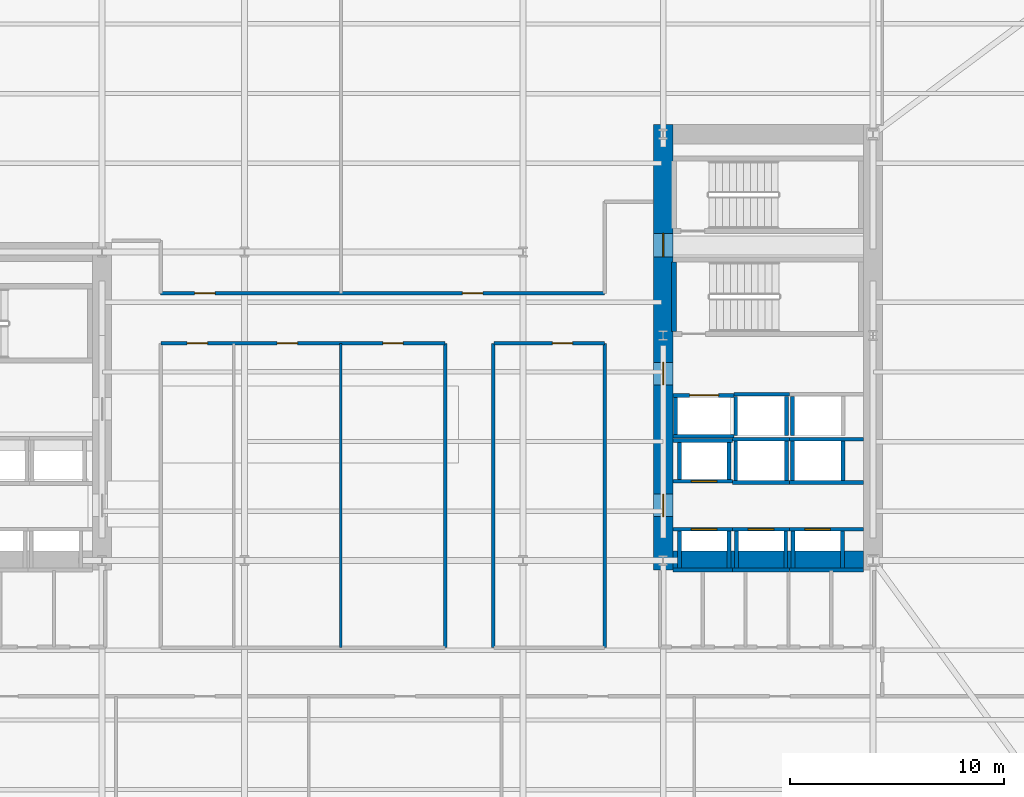
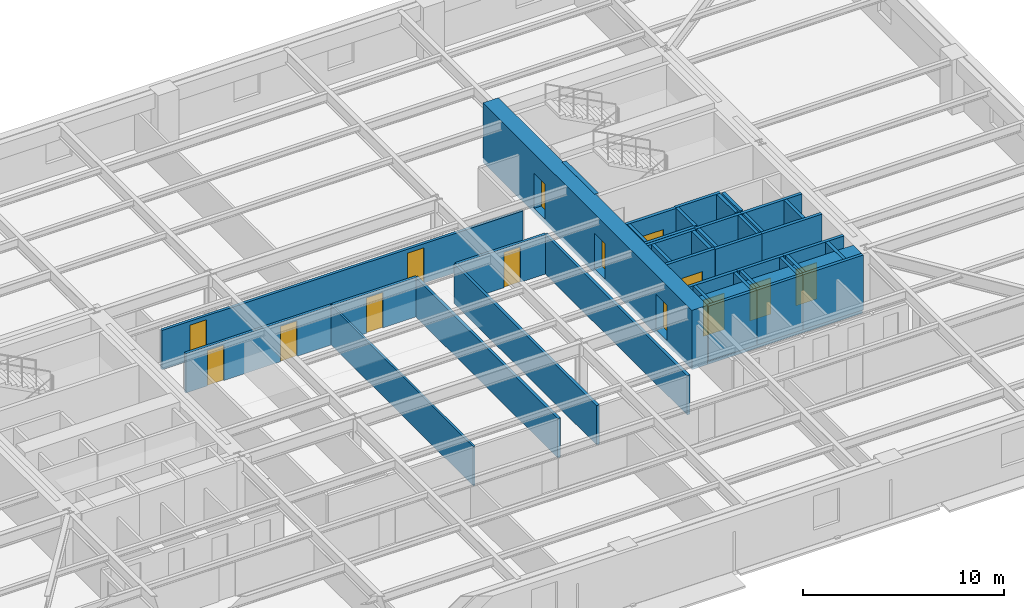
# One storey, part 6 of 14: 41 walls, 14 doors, 14 openings.
"""IFC4 building model written with IfcOpenShell, lengths in metres."""

from ifc_helpers import new_model, si_unit, direction, frame, frame_2d, origin, place, context, subcontext, project, spatial, rectangle, extrude, material, layer, layer_set, type_object, element, fill, save


model = new_model("IFC4")

# Units and contexts
model_context = context("Model", 3, precision=1e-05, world=origin(), true_north=direction((0.0, 1.0)))
body_context = subcontext(model_context, "Body", "Model", "MODEL_VIEW")
ifc_project = project(units=[si_unit("LENGTHUNIT", "METRE"), si_unit("AREAUNIT", "SQUARE_METRE"), si_unit("VOLUMEUNIT", "CUBIC_METRE"), si_unit("PLANEANGLEUNIT", "RADIAN"), si_unit("MASSUNIT", "GRAM", prefix="KILO")], contexts=[model_context])

# Site, building, storey
site_placement = place(None, origin())
site = spatial("IfcSite", under=ifc_project, at=site_placement, CompositionType="ELEMENT")
building_placement = place(site_placement, origin())
building = spatial("IfcBuilding", under=site, at=building_placement, Name="Kolvaren Arena Tower", CompositionType="ELEMENT")
storey_placement = place(building_placement, frame((0.0, 0.0, 90.75)))
storey = spatial("IfcBuildingStorey", under=building, at=storey_placement, Name="L20", CompositionType="ELEMENT", Elevation=90.75)

# Wall, openings, doors
ifc_material_1 = material(Name="Gypsum board acoustic assembly", Category="gypsum")
ifc_layer_1 = layer(ifc_material_1, 0.159912109375)
ifc_layer_set_1 = layer_set([ifc_layer_1], Name="Gypsum board acoustic assembly")
wall_type_1 = type_object("IfcWallType", Name="CORR-160", PredefinedType="PARTITIONING", material=ifc_layer_set_1)
wall_1_placement = place(storey_placement, frame((27.080078125, 31.919921875, 0.0), z_axis=(0.0, 0.0, 1.0), x_axis=(1.0, 0.0, 0.0)))
wall_1 = element("IfcWall", 1, at=wall_1_placement, inside=storey, type_object=wall_type_1, Name="Interior Partition Wall (L20)", PredefinedType="PARTITIONING", context=body_context, shape_type="SweptSolid", body=[
    extrude(rectangle(XDim=20.739990234375, YDim=0.159912109375, at=frame_2d((10.3701171875, 0.0))), origin(), (0.0, 0.0, 1.0), 2.389892578125),
])
opening_1_placement = place(wall_1_placement, frame((1.594970703125, 0.0, 0.0)))
opening_1 = element("IfcOpeningElement", 2, at=opening_1_placement, cuts=wall_1, Name="Opening D05", PredefinedType="OPENING", context=body_context, shape_type="SweptSolid", body=[
    extrude(rectangle(XDim=0.949951171875, YDim=2.14990234375, at=frame_2d((0.47509765625, 1.074951171875))), frame((0.0, 0.08984375, 0.0), z_axis=(0.0, -1.0, 0.0), x_axis=(1.0, 0.0, 0.0)), (0.0, 0.0, 1.0), 0.179931640625),
])
opening_2_placement = place(wall_1_placement, frame((14.094970703125, 0.0, 0.0)))
opening_2 = element("IfcOpeningElement", 3, at=opening_2_placement, cuts=wall_1, Name="Opening D05", PredefinedType="OPENING", context=body_context, shape_type="SweptSolid", body=[
    extrude(rectangle(XDim=0.949951171875, YDim=2.14990234375, at=frame_2d((0.47509765625, 1.074951171875))), frame((0.0, 0.08984375, 0.0), z_axis=(0.0, -1.0, 0.0), x_axis=(1.0, 0.0, 0.0)), (0.0, 0.0, 1.0), 0.179931640625),
])
ifc_material_2 = material(Name="Solid-core oak acoustic office door", Category="wood")
door_type_1 = type_object("IfcDoorType", Name="DOOR-OF-095", OperationType="NOTDEFINED", PredefinedType="DOOR", material=ifc_material_2)
door_1_placement = place(opening_1_placement, origin())
door_1 = element("IfcDoor", 4, at=door_1_placement, inside=storey, type_object=door_type_1, Name="Open Plan Office Door (L20)", OperationType="SINGLE_SWING_LEFT", OverallHeight=2.14990234375, OverallWidth=0.949951171875, PredefinedType="DOOR", context=body_context, shape_type="SweptSolid", body=[
    extrude(rectangle(XDim=0.949951171875, YDim=2.14990234375, at=frame_2d((0.47509765625, 1.074951171875))), frame((0.0, 0.02490234375, 0.0), z_axis=(0.0, -1.0, 0.0), x_axis=(1.0, 0.0, 0.0)), (0.0, 0.0, 1.0), 0.050048828125),
])
fill(opening_1, door_1)
door_2_placement = place(opening_2_placement, origin())
door_2 = element("IfcDoor", 5, at=door_2_placement, inside=storey, type_object=door_type_1, Name="Open Plan Office Door (L20)", OperationType="SINGLE_SWING_RIGHT", OverallHeight=2.14990234375, OverallWidth=0.949951171875, PredefinedType="DOOR", context=body_context, shape_type="SweptSolid", body=[
    extrude(rectangle(XDim=0.949951171875, YDim=2.14990234375, at=frame_2d((0.47509765625, 1.074951171875))), frame((0.0, 0.02490234375, 0.0), z_axis=(0.0, -1.0, 0.0), x_axis=(1.0, 0.0, 0.0)), (0.0, 0.0, 1.0), 0.050048828125),
])
fill(opening_2, door_2)

wall_2_placement = place(storey_placement, frame((27.10009765625, 29.580078125, 0.0), z_axis=(0.0, 0.0, 1.0), x_axis=(1.0, 0.0, 0.0)))
wall_2 = element("IfcWall", 6, at=wall_2_placement, inside=storey, type_object=wall_type_1, Name="Interior Partition Wall (L20)", PredefinedType="PARTITIONING", context=body_context, shape_type="SweptSolid", body=[
    extrude(rectangle(XDim=13.260009765625, YDim=0.159912109375, at=frame_2d((6.6298828125, 0.0))), origin(), (0.0, 0.0, 1.0), 2.389892578125),
])
opening_3_placement = place(wall_2_placement, frame((1.22509765625, 0.0, 0.0)))
opening_3 = element("IfcOpeningElement", 7, at=opening_3_placement, cuts=wall_2, Name="Opening D05", PredefinedType="OPENING", context=body_context, shape_type="SweptSolid", body=[
    extrude(rectangle(XDim=0.949951171875, YDim=2.14990234375, at=frame_2d((0.47509765625, 1.074951171875))), frame((0.0, 0.08984375, 0.0), z_axis=(0.0, -1.0, 0.0), x_axis=(1.0, 0.0, 0.0)), (0.0, 0.0, 1.0), 0.179931640625),
])
opening_4_placement = place(wall_2_placement, frame((5.425048828125, 0.0, 0.0)))
opening_4 = element("IfcOpeningElement", 8, at=opening_4_placement, cuts=wall_2, Name="Opening D05", PredefinedType="OPENING", context=body_context, shape_type="SweptSolid", body=[
    extrude(rectangle(XDim=0.949951171875, YDim=2.14990234375, at=frame_2d((0.47509765625, 1.074951171875))), frame((0.0, 0.08984375, 0.0), z_axis=(0.0, -1.0, 0.0), x_axis=(1.0, 0.0, 0.0)), (0.0, 0.0, 1.0), 0.179931640625),
])
opening_5_placement = place(wall_2_placement, frame((10.35498046875, 0.0, 0.0)))
opening_5 = element("IfcOpeningElement", 9, at=opening_5_placement, cuts=wall_2, Name="Opening D05", PredefinedType="OPENING", context=body_context, shape_type="SweptSolid", body=[
    extrude(rectangle(XDim=0.949951171875, YDim=2.14990234375, at=frame_2d((0.47509765625, 1.074951171875))), frame((0.0, 0.08984375, 0.0), z_axis=(0.0, -1.0, 0.0), x_axis=(1.0, 0.0, 0.0)), (0.0, 0.0, 1.0), 0.179931640625),
])
door_3_placement = place(opening_3_placement, origin())
door_3 = element("IfcDoor", 10, at=door_3_placement, inside=storey, type_object=door_type_1, Name="Wellness Room Door (L20)", OperationType="SINGLE_SWING_LEFT", OverallHeight=2.14990234375, OverallWidth=0.949951171875, PredefinedType="DOOR", context=body_context, shape_type="SweptSolid", body=[
    extrude(rectangle(XDim=0.949951171875, YDim=2.14990234375, at=frame_2d((0.47509765625, 1.074951171875))), frame((0.0, 0.02490234375, 0.0), z_axis=(0.0, -1.0, 0.0), x_axis=(1.0, 0.0, 0.0)), (0.0, 0.0, 1.0), 0.050048828125),
])
fill(opening_3, door_3)
door_4_placement = place(opening_4_placement, origin())
door_4 = element("IfcDoor", 11, at=door_4_placement, inside=storey, type_object=door_type_1, Name="Meeting Room Door (L20)", OperationType="SINGLE_SWING_RIGHT", OverallHeight=2.14990234375, OverallWidth=0.949951171875, PredefinedType="DOOR", context=body_context, shape_type="SweptSolid", body=[
    extrude(rectangle(XDim=0.949951171875, YDim=2.14990234375, at=frame_2d((0.47509765625, 1.074951171875))), frame((0.0, 0.02490234375, 0.0), z_axis=(0.0, -1.0, 0.0), x_axis=(1.0, 0.0, 0.0)), (0.0, 0.0, 1.0), 0.050048828125),
])
fill(opening_4, door_4)
door_5_placement = place(opening_5_placement, origin())
door_5 = element("IfcDoor", 12, at=door_5_placement, inside=storey, type_object=door_type_1, Name="Boardroom Door (L20)", OperationType="SINGLE_SWING_LEFT", OverallHeight=2.14990234375, OverallWidth=0.949951171875, PredefinedType="DOOR", context=body_context, shape_type="SweptSolid", body=[
    extrude(rectangle(XDim=0.949951171875, YDim=2.14990234375, at=frame_2d((0.47509765625, 1.074951171875))), frame((0.0, 0.02490234375, 0.0), z_axis=(0.0, -1.0, 0.0), x_axis=(1.0, 0.0, 0.0)), (0.0, 0.0, 1.0), 0.050048828125),
])
fill(opening_5, door_5)

# Wall, opening, door
wall_3_placement = place(storey_placement, frame((42.639892578125, 29.580078125, 0.0), z_axis=(0.0, 0.0, 1.0), x_axis=(1.0, 0.0, 0.0)))
wall_3 = element("IfcWall", 13, at=wall_3_placement, inside=storey, type_object=wall_type_1, Name="Interior Partition Wall (L20)", PredefinedType="PARTITIONING", context=body_context, shape_type="SweptSolid", body=[
    extrude(rectangle(XDim=5.16015625, YDim=0.159912109375, at=frame_2d((2.580078125, 0.0))), origin(), (0.0, 0.0, 1.0), 2.389892578125),
])
opening_6_placement = place(wall_3_placement, frame((2.735107421875, 0.0, 0.0)))
opening_6 = element("IfcOpeningElement", 14, at=opening_6_placement, cuts=wall_3, Name="Opening D05", PredefinedType="OPENING", context=body_context, shape_type="SweptSolid", body=[
    extrude(rectangle(XDim=0.949951171875, YDim=2.14990234375, at=frame_2d((0.47509765625, 1.074951171875))), frame((0.0, 0.08984375, 0.0), z_axis=(0.0, -1.0, 0.0), x_axis=(1.0, 0.0, 0.0)), (0.0, 0.0, 1.0), 0.179931640625),
])
door_6_placement = place(opening_6_placement, origin())
door_6 = element("IfcDoor", 15, at=door_6_placement, inside=storey, type_object=door_type_1, Name="Breakout Pantry and Kitchen Door (L20)", OperationType="SINGLE_SWING_RIGHT", OverallHeight=2.14990234375, OverallWidth=0.949951171875, PredefinedType="DOOR", context=body_context, shape_type="SweptSolid", body=[
    extrude(rectangle(XDim=0.949951171875, YDim=2.14990234375, at=frame_2d((0.47509765625, 1.074951171875))), frame((0.0, 0.02490234375, 0.0), z_axis=(0.0, -1.0, 0.0), x_axis=(1.0, 0.0, 0.0)), (0.0, 0.0, 1.0), 0.050048828125),
])
fill(opening_6, door_6)

# Walls
for number, where, z_axis, x_axis, name in (
    (16, (40.3798828125, 15.3798828125, 0.0), (0.0, 0.0, 1.0), (0.0, 1.0, 0.0), "Interior Partition Wall (L20)"),
    (17, (42.6201171875, 15.3798828125, 0.0), (0.0, 0.0, 1.0), (0.0, 1.0, 0.0), "Interior Partition Wall (L20)"),
    (18, (47.820068359375, 15.3798828125, 0.0), (0.0, 0.0, 1.0), (0.0, 1.0, 0.0), "Interior Partition Wall (L20)"),
):
    element("IfcWall", number, at=place(storey_placement, frame(where, z_axis=z_axis, x_axis=x_axis)), inside=storey, type_object=wall_type_1, Name=name, PredefinedType="PARTITIONING", context=body_context, shape_type="SweptSolid", body=[
        extrude(rectangle(XDim=14.2001953125, YDim=0.159912109375, at=frame_2d((7.10009765625, 0.0))), origin(), (0.0, 0.0, 1.0), 2.389892578125),
    ])

# Wall, openings, doors
ifc_material_3 = material(Name="Concrete 80 MPa", Category="concrete")
ifc_layer_2 = layer(ifc_material_3, 0.89990234375)
ifc_layer_set_2 = layer_set([ifc_layer_2], Name="Concrete 80 MPa")
wall_type_2 = type_object("IfcWallType", Name="CWALL-900", PredefinedType="SHEAR", material=ifc_layer_set_2)
wall_4_placement = place(storey_placement, frame((50.550048828125, 19.0, -0.27001953125), z_axis=(0.0, 0.0, 1.0), x_axis=(0.0, 1.0, 0.0)))
wall_4 = element("IfcWall", 19, at=wall_4_placement, inside=storey, type_object=wall_type_2, Name="Core Shear Wall EC-WEST (L20)", PredefinedType="SHEAR", context=body_context, shape_type="SweptSolid", body=[
    extrude(rectangle(XDim=20.800048828125, YDim=0.89990234375, at=frame_2d((10.39990234375, 0.0))), origin(), (0.0, 0.0, 1.0), 3.60009765625),
])
opening_7_placement = place(wall_4_placement, frame((2.5, 0.0, 0.27001953125)))
opening_7 = element("IfcOpeningElement", 20, at=opening_7_placement, cuts=wall_4, Name="Opening D04", PredefinedType="OPENING", context=body_context, shape_type="SweptSolid", body=[
    extrude(rectangle(XDim=1.050048828125, YDim=2.14990234375, at=frame_2d((0.52490234375, 1.074951171875))), frame((0.0, 0.4599609375, 0.0), z_axis=(0.0, -1.0, 0.0), x_axis=(1.0, 0.0, 0.0)), (0.0, 0.0, 1.0), 0.919921875),
])
opening_8_placement = place(wall_4_placement, frame((8.64990234375, 0.0, 0.27001953125)))
opening_8 = element("IfcOpeningElement", 21, at=opening_8_placement, cuts=wall_4, Name="Opening D04", PredefinedType="OPENING", context=body_context, shape_type="SweptSolid", body=[
    extrude(rectangle(XDim=1.050048828125, YDim=2.14990234375, at=frame_2d((0.52490234375, 1.074951171875))), frame((0.0, 0.4599609375, 0.0), z_axis=(0.0, -1.0, 0.0), x_axis=(1.0, 0.0, 0.0)), (0.0, 0.0, 1.0), 0.919921875),
])
opening_9_placement = place(wall_4_placement, frame((14.6201171875, 0.0, 0.27001953125)))
opening_9 = element("IfcOpeningElement", 22, at=opening_9_placement, cuts=wall_4, Name="Opening D03", PredefinedType="OPENING", context=body_context, shape_type="SweptSolid", body=[
    extrude(rectangle(XDim=1.10009765625, YDim=2.14990234375, at=frame_2d((0.550048828125, 1.074951171875))), frame((0.0, 0.4599609375, 0.0), z_axis=(0.0, -1.0, 0.0), x_axis=(1.0, 0.0, 0.0)), (0.0, 0.0, 1.0), 0.919921875),
])
ifc_material_4 = material(Name="Fire-rated steel lobby door", Category="steel")
door_type_2 = type_object("IfcDoorType", Name="DOOR-FF-105", OperationType="NOTDEFINED", PredefinedType="DOOR", material=ifc_material_4)
door_7_placement = place(opening_7_placement, origin())
door_7 = element("IfcDoor", 23, at=door_7_placement, inside=storey, type_object=door_type_2, Name="East Lift Lobby Fire Door (L20)", OperationType="SINGLE_SWING_RIGHT", OverallHeight=2.14990234375, OverallWidth=1.050048828125, PredefinedType="DOOR", context=body_context, shape_type="SweptSolid", body=[
    extrude(rectangle(XDim=1.050048828125, YDim=2.14990234375, at=frame_2d((0.52490234375, 1.074951171875))), frame((0.0, 0.02490234375, 0.0), z_axis=(0.0, -1.0, 0.0), x_axis=(1.0, 0.0, 0.0)), (0.0, 0.0, 1.0), 0.050048828125),
])
fill(opening_7, door_7)
door_8_placement = place(opening_8_placement, origin())
door_8 = element("IfcDoor", 24, at=door_8_placement, inside=storey, type_object=door_type_2, Name="East Firefighter Vestibule Door (L20)", OperationType="SINGLE_SWING_LEFT", OverallHeight=2.14990234375, OverallWidth=1.050048828125, PredefinedType="DOOR", context=body_context, shape_type="SweptSolid", body=[
    extrude(rectangle(XDim=1.050048828125, YDim=2.14990234375, at=frame_2d((0.52490234375, 1.074951171875))), frame((0.0, 0.02490234375, 0.0), z_axis=(0.0, -1.0, 0.0), x_axis=(1.0, 0.0, 0.0)), (0.0, 0.0, 1.0), 0.050048828125),
])
fill(opening_8, door_8)
ifc_material_5 = material(Name="Fire-rated steel exit stair door", Category="steel")
door_type_3 = type_object("IfcDoorType", Name="DOOR-ST-110", OperationType="NOTDEFINED", PredefinedType="DOOR", material=ifc_material_5)
door_9_placement = place(opening_9_placement, origin())
door_9 = element("IfcDoor", 25, at=door_9_placement, inside=storey, type_object=door_type_3, Name="Stair ST-E2 Vestibule Fire Door (L20)", OperationType="SINGLE_SWING_LEFT", OverallHeight=2.14990234375, OverallWidth=1.10009765625, PredefinedType="DOOR", context=body_context, shape_type="SweptSolid", body=[
    extrude(rectangle(XDim=1.10009765625, YDim=2.14990234375, at=frame_2d((0.550048828125, 1.074951171875))), frame((0.0, 0.02490234375, 0.0), z_axis=(0.0, -1.0, 0.0), x_axis=(1.0, 0.0, 0.0)), (0.0, 0.0, 1.0), 0.050048828125),
])
fill(opening_9, door_9)

# Walls
wall_5_placement = place(storey_placement, frame((51.0, 19.449951171875, -0.27001953125), z_axis=(0.0, 0.0, 1.0), x_axis=(1.0, 0.0, 0.0)))
element("IfcWall", 26, at=wall_5_placement, inside=storey, type_object=wall_type_2, Name="Core Shear Wall EC-SOUTH (L20)", PredefinedType="SHEAR", context=body_context, shape_type="SweptSolid", body=[
    extrude(rectangle(XDim=8.89990234375, YDim=0.89990234375, at=frame_2d((4.449951171875, 0.0))), origin(), (0.0, 0.0, 1.0), 3.60009765625),
])
ifc_material_6 = material(Name="Gypsum board partition assembly", Category="gypsum")
ifc_layer_3 = layer(ifc_material_6, 0.114990234375)
ifc_layer_set_3 = layer_set([ifc_layer_3], Name="Gypsum board partition assembly")
wall_type_3 = type_object("IfcWallType", Name="PART-115", PredefinedType="PARTITIONING", material=ifc_layer_set_3)
wall_6_placement = place(storey_placement, frame((35.5, 15.3798828125, 0.0), z_axis=(0.0, 0.0, 1.0), x_axis=(0.0, 1.0, 0.0)))
element("IfcWall", 27, at=wall_6_placement, inside=storey, type_object=wall_type_3, Name="Interior Partition Wall (L20)", PredefinedType="PARTITIONING", context=body_context, shape_type="SweptSolid", body=[
    extrude(rectangle(XDim=14.2001953125, YDim=0.114990234375, at=frame_2d((7.10009765625, 0.0))), origin(), (0.0, 0.0, 1.0), 2.389892578125),
])
ifc_material_7 = material(Name="Concrete 45 MPa", Category="concrete")
ifc_layer_4 = layer(ifc_material_7, 0.25)
ifc_layer_set_4 = layer_set([ifc_layer_4], Name="Concrete 45 MPa")
wall_type_4 = type_object("IfcWallType", Name="SHAFT-250", PredefinedType="SOLIDWALL", material=ifc_layer_set_4)
wall_7_placement = place(storey_placement, frame((51.06005859375, 30.14990234375, 0.0), z_axis=(0.0, 0.0, 1.0), x_axis=(0.0, 1.0, 0.0)))
element("IfcWall", 28, at=wall_7_placement, inside=storey, type_object=wall_type_4, Name="Core Shaft Wall (L20)", PredefinedType="SOLIDWALL", context=body_context, shape_type="SweptSolid", body=[
    extrude(rectangle(XDim=3.22998046875, YDim=0.239990234375, at=frame_2d((1.614990234375, 0.0))), origin(), (0.0, 0.0, 1.0), 3.330078125),
])

# Wall, opening, door
wall_8_placement = place(storey_placement, frame((51.0, 20.905029296875, 0.0), z_axis=(0.0, 0.0, 1.0), x_axis=(1.0, 0.0, 0.0)))
wall_8 = element("IfcWall", 29, at=wall_8_placement, inside=storey, type_object=wall_type_4, Name="Core Shaft Wall (L20)", PredefinedType="SOLIDWALL", context=body_context, shape_type="SweptSolid", body=[
    extrude(rectangle(XDim=2.7900390625, YDim=0.179931640625, at=frame_2d((1.39501953125, 0.0))), origin(), (0.0, 0.0, 1.0), 3.330078125),
])
opening_10_placement = place(wall_8_placement, frame((0.860107421875, 0.0, 0.0)))
opening_10 = element("IfcOpeningElement", 30, at=opening_10_placement, cuts=wall_8, Name="Opening LD1", PredefinedType="OPENING", context=body_context, shape_type="SweptSolid", body=[
    extrude(rectangle(XDim=1.199951171875, YDim=2.199951171875, at=frame_2d((0.60009765625, 1.10009765625))), frame((0.0, 0.099853515625, 0.0), z_axis=(0.0, -1.0, 0.0), x_axis=(1.0, 0.0, 0.0)), (0.0, 0.0, 1.0), 0.199951171875),
])
ifc_material_8 = material(Name="Stainless steel passenger lift landing door", Category="steel")
door_type_4 = type_object("IfcDoorType", Name="DOOR-LD-120", OperationType="DOUBLE_DOOR_SLIDING", PredefinedType="DOOR", material=ifc_material_8)
door_10_placement = place(opening_10_placement, origin())
door_10 = element("IfcDoor", 31, at=door_10_placement, inside=storey, type_object=door_type_4, Name="Lift EL-LR1 Landing Door (L20)", OperationType="DOUBLE_DOOR_SLIDING", OverallHeight=2.199951171875, OverallWidth=1.199951171875, PredefinedType="DOOR", context=body_context, shape_type="SweptSolid", body=[
    extrude(rectangle(XDim=1.199951171875, YDim=2.199951171875, at=frame_2d((0.60009765625, 1.10009765625))), frame((0.0, 0.02490234375, 0.0), z_axis=(0.0, -1.0, 0.0), x_axis=(1.0, 0.0, 0.0)), (0.0, 0.0, 1.0), 0.050048828125),
])
fill(opening_10, door_10)

# Walls
wall_9_placement = place(storey_placement, frame((51.0, 18.9951171875, 0.0), z_axis=(0.0, 0.0, 1.0), x_axis=(1.0, 0.0, 0.0)))
element("IfcWall", 32, at=wall_9_placement, inside=storey, type_object=wall_type_4, Name="Core Shaft Wall (L20)", PredefinedType="SOLIDWALL", context=body_context, shape_type="SweptSolid", body=[
    extrude(rectangle(XDim=2.7900390625, YDim=0.179931640625, at=frame_2d((1.39501953125, 0.0))), origin(), (0.0, 0.0, 1.0), 3.330078125),
])
for number, where, z_axis, x_axis, name in (
    (33, (51.304931640625, 19.0849609375, 0.0), (0.0, 0.0, 1.0), (0.0, 1.0, 0.0), "Core Shaft Wall (L20)"),
    (34, (53.614990234375, 19.0849609375, 0.0), (0.0, 0.0, 1.0), (0.0, 1.0, 0.0), "Core Shaft Wall (L20)"),
):
    element("IfcWall", number, at=place(storey_placement, frame(where, z_axis=z_axis, x_axis=x_axis)), inside=storey, type_object=wall_type_4, Name=name, PredefinedType="SOLIDWALL", context=body_context, shape_type="SweptSolid", body=[
        extrude(rectangle(XDim=1.72998046875, YDim=0.179931640625, at=frame_2d((0.864990234375, 0.0))), origin(), (0.0, 0.0, 1.0), 3.330078125),
    ])

# Wall, opening, door
wall_10_placement = place(storey_placement, frame((53.7900390625, 20.905029296875, 0.0), z_axis=(0.0, 0.0, 1.0), x_axis=(1.0, 0.0, 0.0)))
wall_10 = element("IfcWall", 35, at=wall_10_placement, inside=storey, type_object=wall_type_4, Name="Core Shaft Wall (L20)", PredefinedType="SOLIDWALL", context=body_context, shape_type="SweptSolid", body=[
    extrude(rectangle(XDim=2.64990234375, YDim=0.179931640625, at=frame_2d((1.324951171875, 0.0))), origin(), (0.0, 0.0, 1.0), 3.330078125),
])
opening_11_placement = place(wall_10_placement, frame((0.72998046875, 0.0, 0.0)))
opening_11 = element("IfcOpeningElement", 36, at=opening_11_placement, cuts=wall_10, Name="Opening LD1", PredefinedType="OPENING", context=body_context, shape_type="SweptSolid", body=[
    extrude(rectangle(XDim=1.199951171875, YDim=2.199951171875, at=frame_2d((0.60009765625, 1.10009765625))), frame((0.0, 0.099853515625, 0.0), z_axis=(0.0, -1.0, 0.0), x_axis=(1.0, 0.0, 0.0)), (0.0, 0.0, 1.0), 0.199951171875),
])
door_11_placement = place(opening_11_placement, origin())
door_11 = element("IfcDoor", 37, at=door_11_placement, inside=storey, type_object=door_type_4, Name="Lift EL-LR2 Landing Door (L20)", OperationType="DOUBLE_DOOR_SLIDING", OverallHeight=2.199951171875, OverallWidth=1.199951171875, PredefinedType="DOOR", context=body_context, shape_type="SweptSolid", body=[
    extrude(rectangle(XDim=1.199951171875, YDim=2.199951171875, at=frame_2d((0.60009765625, 1.10009765625))), frame((0.0, 0.02490234375, 0.0), z_axis=(0.0, -1.0, 0.0), x_axis=(1.0, 0.0, 0.0)), (0.0, 0.0, 1.0), 0.050048828125),
])
fill(opening_11, door_11)

# Walls
wall_11_placement = place(storey_placement, frame((53.7900390625, 18.9951171875, 0.0), z_axis=(0.0, 0.0, 1.0), x_axis=(1.0, 0.0, 0.0)))
element("IfcWall", 38, at=wall_11_placement, inside=storey, type_object=wall_type_4, Name="Core Shaft Wall (L20)", PredefinedType="SOLIDWALL", context=body_context, shape_type="SweptSolid", body=[
    extrude(rectangle(XDim=2.64990234375, YDim=0.179931640625, at=frame_2d((1.324951171875, 0.0))), origin(), (0.0, 0.0, 1.0), 3.330078125),
])
for number, where, z_axis, x_axis, name in (
    (39, (53.965087890625, 19.0849609375, 0.0), (0.0, 0.0, 1.0), (0.0, 1.0, 0.0), "Core Shaft Wall (L20)"),
    (40, (56.27490234375, 19.0849609375, 0.0), (0.0, 0.0, 1.0), (0.0, 1.0, 0.0), "Core Shaft Wall (L20)"),
):
    element("IfcWall", number, at=place(storey_placement, frame(where, z_axis=z_axis, x_axis=x_axis)), inside=storey, type_object=wall_type_4, Name=name, PredefinedType="SOLIDWALL", context=body_context, shape_type="SweptSolid", body=[
        extrude(rectangle(XDim=1.72998046875, YDim=0.179931640625, at=frame_2d((0.864990234375, 0.0))), origin(), (0.0, 0.0, 1.0), 3.330078125),
    ])

# Wall, opening, door
wall_12_placement = place(storey_placement, frame((56.43994140625, 20.905029296875, 0.0), z_axis=(0.0, 0.0, 1.0), x_axis=(1.0, 0.0, 0.0)))
wall_12 = element("IfcWall", 41, at=wall_12_placement, inside=storey, type_object=wall_type_4, Name="Core Shaft Wall (L20)", PredefinedType="SOLIDWALL", context=body_context, shape_type="SweptSolid", body=[
    extrude(rectangle(XDim=3.4599609375, YDim=0.179931640625, at=frame_2d((1.72998046875, 0.0))), origin(), (0.0, 0.0, 1.0), 3.330078125),
])
opening_12_placement = place(wall_12_placement, frame((0.719970703125, 0.0, 0.0)))
opening_12 = element("IfcOpeningElement", 42, at=opening_12_placement, cuts=wall_12, Name="Opening LD1", PredefinedType="OPENING", context=body_context, shape_type="SweptSolid", body=[
    extrude(rectangle(XDim=1.199951171875, YDim=2.199951171875, at=frame_2d((0.60009765625, 1.10009765625))), frame((0.0, 0.099853515625, 0.0), z_axis=(0.0, -1.0, 0.0), x_axis=(1.0, 0.0, 0.0)), (0.0, 0.0, 1.0), 0.199951171875),
])
door_12_placement = place(opening_12_placement, origin())
door_12 = element("IfcDoor", 43, at=door_12_placement, inside=storey, type_object=door_type_4, Name="Lift EL-LR3 Landing Door (L20)", OperationType="DOUBLE_DOOR_SLIDING", OverallHeight=2.199951171875, OverallWidth=1.199951171875, PredefinedType="DOOR", context=body_context, shape_type="SweptSolid", body=[
    extrude(rectangle(XDim=1.199951171875, YDim=2.199951171875, at=frame_2d((0.60009765625, 1.10009765625))), frame((0.0, 0.02490234375, 0.0), z_axis=(0.0, -1.0, 0.0), x_axis=(1.0, 0.0, 0.0)), (0.0, 0.0, 1.0), 0.050048828125),
])
fill(opening_12, door_12)

# Walls
wall_13_placement = place(storey_placement, frame((56.43994140625, 18.9951171875, 0.0), z_axis=(0.0, 0.0, 1.0), x_axis=(1.0, 0.0, 0.0)))
element("IfcWall", 44, at=wall_13_placement, inside=storey, type_object=wall_type_4, Name="Core Shaft Wall (L20)", PredefinedType="SOLIDWALL", context=body_context, shape_type="SweptSolid", body=[
    extrude(rectangle(XDim=3.4599609375, YDim=0.179931640625, at=frame_2d((1.72998046875, 0.0))), origin(), (0.0, 0.0, 1.0), 3.330078125),
])
for number, where, z_axis, x_axis, name in (
    (45, (56.60498046875, 19.0849609375, 0.0), (0.0, 0.0, 1.0), (0.0, 1.0, 0.0), "Core Shaft Wall (L20)"),
    (46, (58.9150390625, 19.0849609375, 0.0), (0.0, 0.0, 1.0), (0.0, 1.0, 0.0), "Core Shaft Wall (L20)"),
):
    element("IfcWall", number, at=place(storey_placement, frame(where, z_axis=z_axis, x_axis=x_axis)), inside=storey, type_object=wall_type_4, Name=name, PredefinedType="SOLIDWALL", context=body_context, shape_type="SweptSolid", body=[
        extrude(rectangle(XDim=1.72998046875, YDim=0.179931640625, at=frame_2d((0.864990234375, 0.0))), origin(), (0.0, 0.0, 1.0), 3.330078125),
    ])
wall_14_placement = place(storey_placement, frame((51.0, 25.054931640625, 0.0), z_axis=(0.0, 0.0, 1.0), x_axis=(1.0, 0.0, 0.0)))
element("IfcWall", 47, at=wall_14_placement, inside=storey, type_object=wall_type_4, Name="Core Shaft Wall (L20)", PredefinedType="SOLIDWALL", context=body_context, shape_type="SweptSolid", body=[
    extrude(rectangle(XDim=2.777587890625, YDim=0.179931640625, at=frame_2d((1.388671875, 0.0))), origin(), (0.0, 0.0, 1.0), 3.330078125),
])

# Wall, opening, door
wall_15_placement = place(storey_placement, frame((51.0, 23.14501953125, 0.0), z_axis=(0.0, 0.0, 1.0), x_axis=(1.0, 0.0, 0.0)))
wall_15 = element("IfcWall", 48, at=wall_15_placement, inside=storey, type_object=wall_type_4, Name="Core Shaft Wall (L20)", PredefinedType="SOLIDWALL", context=body_context, shape_type="SweptSolid", body=[
    extrude(rectangle(XDim=2.777587890625, YDim=0.179931640625, at=frame_2d((1.388671875, 0.0))), origin(), (0.0, 0.0, 1.0), 3.330078125),
])
opening_13_placement = place(wall_15_placement, frame((0.860107421875, 0.0, 0.0)))
opening_13 = element("IfcOpeningElement", 49, at=opening_13_placement, cuts=wall_15, Name="Opening LD1", PredefinedType="OPENING", context=body_context, shape_type="SweptSolid", body=[
    extrude(rectangle(XDim=1.199951171875, YDim=2.199951171875, at=frame_2d((0.60009765625, 1.10009765625))), frame((0.0, 0.099853515625, 0.0), z_axis=(0.0, -1.0, 0.0), x_axis=(1.0, 0.0, 0.0)), (0.0, 0.0, 1.0), 0.199951171875),
])
door_13_placement = place(opening_13_placement, origin())
door_13 = element("IfcDoor", 50, at=door_13_placement, inside=storey, type_object=door_type_4, Name="Lift EL-LR4 Landing Door (L20)", OperationType="DOUBLE_DOOR_SLIDING", OverallHeight=2.199951171875, OverallWidth=1.199951171875, PredefinedType="DOOR", context=body_context, shape_type="SweptSolid", body=[
    extrude(rectangle(XDim=1.199951171875, YDim=2.199951171875, at=frame_2d((0.60009765625, 1.10009765625))), frame((0.0, 0.02490234375, 0.0), z_axis=(0.0, -1.0, 0.0), x_axis=(1.0, 0.0, 0.0)), (0.0, 0.0, 1.0), 0.050048828125),
])
fill(opening_13, door_13)

# Walls
for number, where, z_axis, x_axis, name in (
    (51, (51.304931640625, 23.235107421875, 0.0), (0.0, 0.0, 1.0), (0.0, 1.0, 0.0), "Core Shaft Wall (L20)"),
    (52, (53.614990234375, 23.235107421875, 0.0), (0.0, 0.0, 1.0), (0.0, 1.0, 0.0), "Core Shaft Wall (L20)"),
):
    element("IfcWall", number, at=place(storey_placement, frame(where, z_axis=z_axis, x_axis=x_axis)), inside=storey, type_object=wall_type_4, Name=name, PredefinedType="SOLIDWALL", context=body_context, shape_type="SweptSolid", body=[
        extrude(rectangle(XDim=1.72998046875, YDim=0.179931640625, at=frame_2d((0.864990234375, 0.0))), origin(), (0.0, 0.0, 1.0), 3.330078125),
    ])
for number, where, z_axis, x_axis, name in (
    (53, (53.777587890625, 25.10498046875, 0.0), (0.0, 0.0, 1.0), (1.0, 0.0, 0.0), "Core Shaft Wall (L20)"),
    (54, (53.777587890625, 23.094970703125, 0.0), (0.0, 0.0, 1.0), (1.0, 0.0, 0.0), "Core Shaft Wall (L20)"),
):
    element("IfcWall", number, at=place(storey_placement, frame(where, z_axis=z_axis, x_axis=x_axis)), inside=storey, type_object=wall_type_4, Name=name, PredefinedType="SOLIDWALL", context=body_context, shape_type="SweptSolid", body=[
        extrude(rectangle(XDim=2.662353515625, YDim=0.179931640625, at=frame_2d((1.3310546875, 0.0))), origin(), (0.0, 0.0, 1.0), 3.330078125),
    ])
for number, where, z_axis, x_axis, name in (
    (55, (53.93994140625, 23.18505859375, 0.0), (0.0, 0.0, 1.0), (0.0, 1.0, 0.0), "Core Shaft Wall (L20)"),
    (56, (56.300048828125, 23.18505859375, 0.0), (0.0, 0.0, 1.0), (0.0, 1.0, 0.0), "Core Shaft Wall (L20)"),
):
    element("IfcWall", number, at=place(storey_placement, frame(where, z_axis=z_axis, x_axis=x_axis)), inside=storey, type_object=wall_type_4, Name=name, PredefinedType="SOLIDWALL", context=body_context, shape_type="SweptSolid", body=[
        extrude(rectangle(XDim=1.829833984375, YDim=0.179931640625, at=frame_2d((0.9150390625, 0.0))), origin(), (0.0, 0.0, 1.0), 3.330078125),
    ])
for number, where, z_axis, x_axis, name in (
    (57, (56.43994140625, 25.10498046875, 0.0), (0.0, 0.0, 1.0), (1.0, 0.0, 0.0), "Core Shaft Wall (L20)"),
    (58, (56.43994140625, 23.094970703125, 0.0), (0.0, 0.0, 1.0), (1.0, 0.0, 0.0), "Core Shaft Wall (L20)"),
):
    element("IfcWall", number, at=place(storey_placement, frame(where, z_axis=z_axis, x_axis=x_axis)), inside=storey, type_object=wall_type_4, Name=name, PredefinedType="SOLIDWALL", context=body_context, shape_type="SweptSolid", body=[
        extrude(rectangle(XDim=3.4599609375, YDim=0.179931640625, at=frame_2d((1.72998046875, 0.0))), origin(), (0.0, 0.0, 1.0), 3.330078125),
    ])
for number, where, z_axis, x_axis, name in (
    (59, (56.580078125, 23.18505859375, 0.0), (0.0, 0.0, 1.0), (0.0, 1.0, 0.0), "Core Shaft Wall (L20)"),
    (60, (58.93994140625, 23.18505859375, 0.0), (0.0, 0.0, 1.0), (0.0, 1.0, 0.0), "Core Shaft Wall (L20)"),
):
    element("IfcWall", number, at=place(storey_placement, frame(where, z_axis=z_axis, x_axis=x_axis)), inside=storey, type_object=wall_type_4, Name=name, PredefinedType="SOLIDWALL", context=body_context, shape_type="SweptSolid", body=[
        extrude(rectangle(XDim=1.829833984375, YDim=0.179931640625, at=frame_2d((0.9150390625, 0.0))), origin(), (0.0, 0.0, 1.0), 3.330078125),
    ])
wall_16_placement = place(storey_placement, frame((53.864990234375, 27.205078125, 0.0), z_axis=(0.0, 0.0, 1.0), x_axis=(1.0, 0.0, 0.0)))
element("IfcWall", 61, at=wall_16_placement, inside=storey, type_object=wall_type_4, Name="Core Shaft Wall (L20)", PredefinedType="SOLIDWALL", context=body_context, shape_type="SweptSolid", body=[
    extrude(rectangle(XDim=2.574951171875, YDim=0.179931640625, at=frame_2d((1.28759765625, 0.0))), origin(), (0.0, 0.0, 1.0), 3.330078125),
])
for number, where, z_axis, x_axis, name in (
    (62, (53.93994140625, 25.284912109375, 0.0), (0.0, 0.0, 1.0), (0.0, 1.0, 0.0), "Core Shaft Wall (L20)"),
    (63, (56.300048828125, 25.284912109375, 0.0), (0.0, 0.0, 1.0), (0.0, 1.0, 0.0), "Core Shaft Wall (L20)"),
    (64, (56.580078125, 25.284912109375, 0.0), (0.0, 0.0, 1.0), (0.0, 1.0, 0.0), "Core Shaft Wall (L20)"),
):
    element("IfcWall", number, at=place(storey_placement, frame(where, z_axis=z_axis, x_axis=x_axis)), inside=storey, type_object=wall_type_4, Name=name, PredefinedType="SOLIDWALL", context=body_context, shape_type="SweptSolid", body=[
        extrude(rectangle(XDim=1.830078125, YDim=0.179931640625, at=frame_2d((0.9150390625, 0.0))), origin(), (0.0, 0.0, 1.0), 3.330078125),
    ])

# Wall, opening, door
wall_17_placement = place(storey_placement, frame((51.0, 27.155029296875, 0.0), z_axis=(0.0, 0.0, 1.0), x_axis=(1.0, 0.0, 0.0)))
wall_17 = element("IfcWall", 65, at=wall_17_placement, inside=storey, type_object=wall_type_4, Name="Core Shaft Wall (L20)", PredefinedType="SOLIDWALL", context=body_context, shape_type="SweptSolid", body=[
    extrude(rectangle(XDim=2.864990234375, YDim=0.179931640625, at=frame_2d((1.4326171875, 0.0))), origin(), (0.0, 0.0, 1.0), 3.330078125),
])
opening_14_placement = place(wall_17_placement, frame((0.784912109375, 0.0, 0.0)))
opening_14 = element("IfcOpeningElement", 66, at=opening_14_placement, cuts=wall_17, Name="Opening LD2", PredefinedType="OPENING", context=body_context, shape_type="SweptSolid", body=[
    extrude(rectangle(XDim=1.35009765625, YDim=2.300048828125, at=frame_2d((0.675048828125, 1.14990234375))), frame((0.0, 0.099853515625, 0.0), z_axis=(0.0, -1.0, 0.0), x_axis=(1.0, 0.0, 0.0)), (0.0, 0.0, 1.0), 0.199951171875),
])
ifc_material_9 = material(Name="Stainless steel firefighter lift landing door", Category="steel")
door_type_5 = type_object("IfcDoorType", Name="DOOR-LD-135", OperationType="DOUBLE_DOOR_SLIDING", PredefinedType="DOOR", material=ifc_material_9)
door_14_placement = place(opening_14_placement, origin())
door_14 = element("IfcDoor", 67, at=door_14_placement, inside=storey, type_object=door_type_5, Name="Firefighter Lift FF-E1 Landing Door (L20)", OperationType="DOUBLE_DOOR_SLIDING", OverallHeight=2.300048828125, OverallWidth=1.35009765625, PredefinedType="DOOR", context=body_context, shape_type="SweptSolid", body=[
    extrude(rectangle(XDim=1.35009765625, YDim=2.300048828125, at=frame_2d((0.675048828125, 1.14990234375))), frame((0.0, 0.02490234375, 0.0), z_axis=(0.0, -1.0, 0.0), x_axis=(1.0, 0.0, 0.0)), (0.0, 0.0, 1.0), 0.050048828125),
])
fill(opening_14, door_14)

# Walls
wall_18_placement = place(storey_placement, frame((51.0, 25.2451171875, 0.0), z_axis=(0.0, 0.0, 1.0), x_axis=(1.0, 0.0, 0.0)))
element("IfcWall", 68, at=wall_18_placement, inside=storey, type_object=wall_type_4, Name="Core Shaft Wall (L20)", PredefinedType="SOLIDWALL", context=body_context, shape_type="SweptSolid", body=[
    extrude(rectangle(XDim=2.864990234375, YDim=0.179931640625, at=frame_2d((1.4326171875, 0.0))), origin(), (0.0, 0.0, 1.0), 3.330078125),
])
wall_19_placement = place(storey_placement, frame((51.1298828125, 25.3349609375, 0.0), z_axis=(0.0, 0.0, 1.0), x_axis=(0.0, 1.0, 0.0)))
element("IfcWall", 69, at=wall_19_placement, inside=storey, type_object=wall_type_4, Name="Core Shaft Wall (L20)", PredefinedType="SOLIDWALL", context=body_context, shape_type="SweptSolid", body=[
    extrude(rectangle(XDim=1.72998046875, YDim=0.179931640625, at=frame_2d((0.864990234375, 0.0))), origin(), (0.0, 0.0, 1.0), 3.330078125),
])

save(model, "model.ifc")
